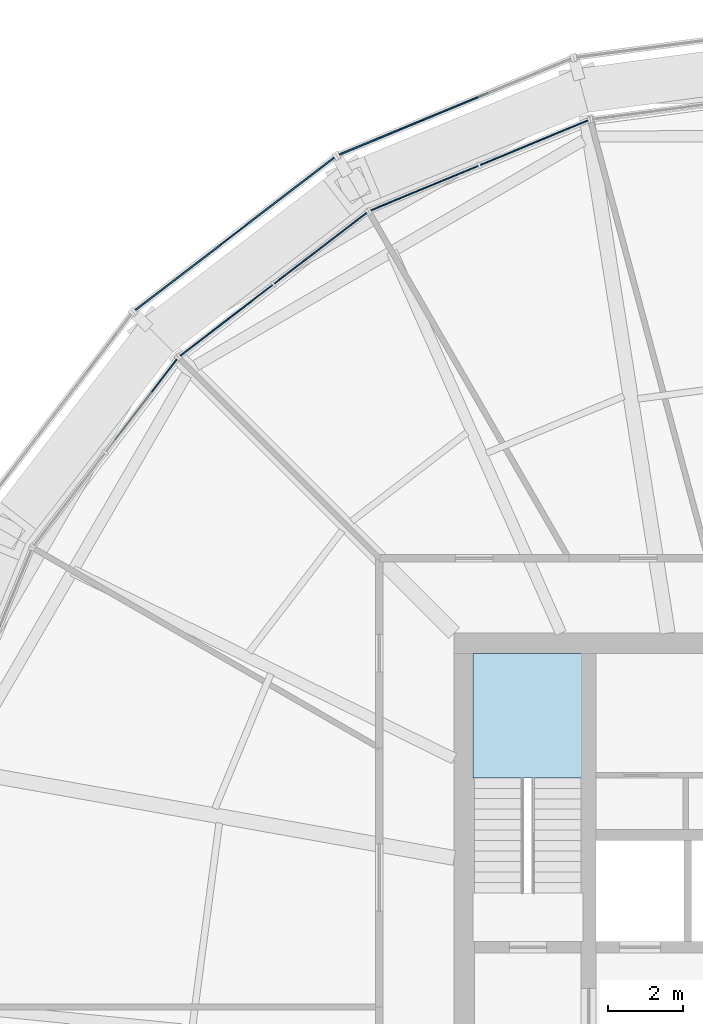
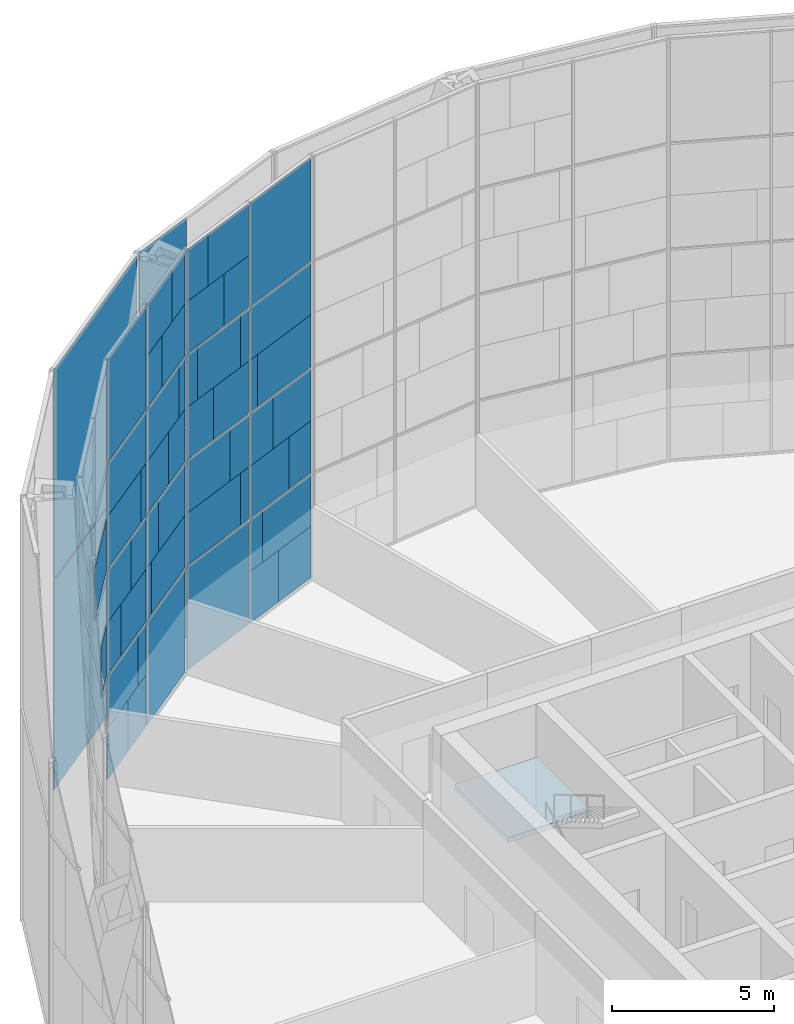
# One storey, part 22 of 30: 60 plates, 1 slab, 6 elements without a shape of their own.
"""IFC4 building model written with IfcOpenShell, lengths in metres."""

import ifcopenshell
import ifcopenshell.guid

model = None  # the IFC model being written
_history = None  # IfcOwnerHistory: only IFC2X3 demands one
_inside = {}  # id of a spatial element -> (the spatial element, [elements in it])
_under = {}  # id of a project, library or spatial element -> (it, [spatial elements below it])
_declared = {}  # id of a project -> (the project, [libraries it declares])
_typed = {}  # id of a type object -> (the type object, [elements of that type])
_made_of = {}  # id of a material, layer set ... -> (it, [elements and type objects made of it])


def new_model(schema):
    """Start an empty IFC model of exactly this schema.

    Asked for "IFC4X3", IfcOpenShell would pick the latest addendum, in which some entities
    have other attributes; the version numbers below select the first issue.
    IFC2X3 requires an IfcOwnerHistory on every rooted entity: one is made here for all.
    """
    global model, _history
    if schema == "IFC4X3":
        model = ifcopenshell.file(schema_version=(4, 3, 0, 0))
    else:
        model = ifcopenshell.file(schema=schema)
    _inside.clear()
    _under.clear()
    _declared.clear()
    _typed.clear()
    _made_of.clear()
    _history = None
    if model.schema == "IFC2X3":
        org = make("IfcOrganization", Name="unknown")
        user = make(
            "IfcPersonAndOrganization",
            ThePerson=make("IfcPerson", FamilyName="unknown"),
            TheOrganization=org,
        )
        app = make(
            "IfcApplication",
            ApplicationDeveloper=org,
            Version="unknown",
            ApplicationFullName="unknown",
            ApplicationIdentifier="unknown",
        )
        _history = make(
            "IfcOwnerHistory",
            OwningUser=user,
            OwningApplication=app,
            ChangeAction="ADDED",
            CreationDate=0,
        )
    return model


def make(cls, **values):
    """One entity of the class cls with the attributes given. An attribute that is None is left unset."""
    return model.create_entity(
        cls, **{name: value for name, value in values.items() if value is not None}
    )


def rooted(cls, **values):
    """An entity with a GlobalId (a new one), such as an element, a storey or a relation."""
    return make(cls, GlobalId=ifcopenshell.guid.new(), OwnerHistory=_history, **values)


def si_unit(unit_type, name, prefix=None):
    """IfcSIUnit, for example si_unit("LENGTHUNIT", "METRE", prefix="MILLI")."""
    return make("IfcSIUnit", UnitType=unit_type, Prefix=prefix, Name=name)


def assignment(units):
    """IfcUnitAssignment: the units of a project."""
    return None if units is None else make("IfcUnitAssignment", Units=units)


def point(xyz):
    """IfcCartesianPoint."""
    return None if xyz is None else make("IfcCartesianPoint", Coordinates=xyz)


def direction(xyz):
    """IfcDirection."""
    return None if xyz is None else make("IfcDirection", DirectionRatios=xyz)


def frame(location, z_axis=None, x_axis=None):
    """IfcAxis2Placement3D, a coordinate frame: its origin and axes. An axis left out is left unset."""
    return make(
        "IfcAxis2Placement3D",
        Location=point(location),
        Axis=direction(z_axis),
        RefDirection=direction(x_axis),
    )


def frame_2d(location, x_axis=None):
    """IfcAxis2Placement2D, a coordinate frame in the plane: its origin and x axis."""
    return make(
        "IfcAxis2Placement2D", Location=point(location), RefDirection=direction(x_axis)
    )


def origin():
    """The frame at (0, 0, 0) with its axes left unset."""
    return frame((0.0, 0.0, 0.0))


def origin_2d():
    """The frame at (0, 0) in the plane with its x axis left unset."""
    return frame_2d((0.0, 0.0))


def place(relative_to, where):
    """IfcLocalPlacement: puts the frame where relative to a parent placement (None: the world)."""
    return make(
        "IfcLocalPlacement", PlacementRelTo=relative_to, RelativePlacement=where
    )


def context(
    kind, dimensions, precision=None, world=None, true_north=None, identifier=None
):
    """IfcGeometricRepresentationContext, for example the 3D "Model" context."""
    return make(
        "IfcGeometricRepresentationContext",
        ContextIdentifier=identifier,
        ContextType=kind,
        CoordinateSpaceDimension=dimensions,
        Precision=precision,
        WorldCoordinateSystem=world,
        TrueNorth=true_north,
    )


def subcontext(parent, identifier, kind, view, scale=None):
    """IfcGeometricRepresentationSubContext, for example "Body" below "Model"."""
    return make(
        "IfcGeometricRepresentationSubContext",
        ContextIdentifier=identifier,
        ContextType=kind,
        ParentContext=parent,
        TargetScale=scale,
        TargetView=view,
    )


def project(units=None, contexts=None):
    """IfcProject with its units and contexts."""
    return rooted(
        "IfcProject",
        Name="project",
        RepresentationContexts=contexts,
        UnitsInContext=assignment(units),
    )


def spatial(cls, under=None, at=None, **own):
    """A site, building, storey or space (cls), placed at a placement, below another one or the project."""
    s = rooted(cls, ObjectPlacement=at, **own)
    if under is not None:
        _under.setdefault(under.id(), (under, []))[1].append(s)
    return s


def polyline(points):
    """IfcPolyline through the points."""
    return make("IfcPolyline", Points=[point(p) for p in points])


def profile(cls, at=None, kind="AREA", **sizes):
    """A parametric profile (cls). Its sizes go by their IFC names, for example OverallWidth=200.0."""
    return make(cls, ProfileType=kind, Position=at, **sizes)


def rectangle(**sizes):
    """IfcRectangleProfileDef."""
    return profile("IfcRectangleProfileDef", **sizes)


def outline(outer, holes=None, kind="AREA"):
    """IfcArbitraryClosedProfileDef: a profile drawn as a closed curve; with holes, ...WithVoids."""
    if holes is None:
        return make("IfcArbitraryClosedProfileDef", ProfileType=kind, OuterCurve=outer)
    return make(
        "IfcArbitraryProfileDefWithVoids",
        ProfileType=kind,
        OuterCurve=outer,
        InnerCurves=holes,
    )


def extrude(swept, where, along, depth):
    """IfcExtrudedAreaSolid: the profile swept, set in the frame where, extruded along a direction by depth."""
    return make(
        "IfcExtrudedAreaSolid",
        SweptArea=swept,
        Position=where,
        ExtrudedDirection=direction(along),
        Depth=depth,
    )


def shape(context_of_items, identifier, shape_type, items):
    """IfcShapeRepresentation: the items that make up one representation, for example the "Body"."""
    return make(
        "IfcShapeRepresentation",
        ContextOfItems=context_of_items,
        RepresentationIdentifier=identifier,
        RepresentationType=shape_type,
        Items=items,
    )


def material(Name=None, Category=None):
    """IfcMaterial."""
    return make("IfcMaterial", Name=Name, Category=Category)


def layer(
    of_material, thickness, ventilated=None, Name=None, Category=None, Priority=None
):
    """IfcMaterialLayer: one layer of a wall or slab, of a material (None: an air gap)."""
    return make(
        "IfcMaterialLayer",
        Material=of_material,
        LayerThickness=thickness,
        IsVentilated=ventilated,
        Name=Name,
        Category=Category,
        Priority=Priority,
    )


def layer_set(layers, Name=None):
    """IfcMaterialLayerSet."""
    return make("IfcMaterialLayerSet", MaterialLayers=layers, LayerSetName=Name)


def made_of(thing, what):
    """Note that an element or type object is made of a material, layer set ...; save() writes the relation."""
    if what is not None:
        _made_of.setdefault(what.id(), (what, []))[1].append(thing)
    return thing


def type_object(cls, material=None, **own):
    """A type object (cls), such as IfcWallType, which elements share."""
    return made_of(rooted(cls, **own), material)


def element(
    cls,
    number,
    at=None,
    inside=None,
    cuts=None,
    type_object=None,
    material=None,
    context=None,
    identifier="Body",
    shape_type=None,
    held_by="IfcProductDefinitionShape",
    body=None,
    shapes=None,
    **own,
):
    """One element of the class cls, such as IfcWall. Its Tag is "e" and its number.

    at: its placement. inside: the storey or other place that contains it. cuts: it is an
    opening in that element (IfcRelVoidsElement). A single representation is given by context,
    identifier, shape_type and body (its items); several are given by shapes. held_by: the class
    of the entity that holds the representations. save() writes the other relations.
    """
    e = rooted(cls, Tag="e%d" % number, ObjectPlacement=at, **own)
    if body is not None:
        shapes = [shape(context, identifier, shape_type, body)]
    if shapes is not None:
        e.Representation = make(held_by, Representations=shapes)
    if inside is not None:
        _inside.setdefault(inside.id(), (inside, []))[1].append(e)
    if cuts is not None:
        rooted(
            "IfcRelVoidsElement", RelatingBuildingElement=cuts, RelatedOpeningElement=e
        )
    if type_object is not None:
        _typed.setdefault(type_object.id(), (type_object, []))[1].append(e)
    return made_of(e, material)


def aggregate(whole, parts):
    """IfcRelAggregates: a whole, such as a stair, and the parts it consists of."""
    return rooted("IfcRelAggregates", RelatingObject=whole, RelatedObjects=parts)


def save(model, path):
    """Write the relations noted so far, then the file.

    IfcRelAggregates (storeys below a building ...), IfcRelContainedInSpatialStructure (elements
    in a storey), IfcRelDefinesByType, IfcRelAssociatesMaterial and IfcRelDeclares: one each for
    every whole, place, type object, material and project.
    """
    for whole, parts in _under.values():
        aggregate(whole, parts)
    for where, things in _inside.values():
        rooted(
            "IfcRelContainedInSpatialStructure",
            RelatedElements=things,
            RelatingStructure=where,
        )
    for kind, things in _typed.values():
        rooted("IfcRelDefinesByType", RelatedObjects=things, RelatingType=kind)
    for what, things in _made_of.values():
        rooted("IfcRelAssociatesMaterial", RelatedObjects=things, RelatingMaterial=what)
    for by, libraries in _declared.values():
        rooted("IfcRelDeclares", RelatingContext=by, RelatedDefinitions=libraries)
    model.write(path)


model = new_model("IFC4")

# Units and contexts
model_context = context("Model", 3, precision=1e-05, world=origin(), true_north=direction((0.0, 1.0)))
body_context = subcontext(model_context, "Body", "Model", "MODEL_VIEW")
ifc_project = project(units=[si_unit("LENGTHUNIT", "METRE"), si_unit("AREAUNIT", "SQUARE_METRE"), si_unit("VOLUMEUNIT", "CUBIC_METRE"), si_unit("PLANEANGLEUNIT", "RADIAN"), si_unit("MASSUNIT", "GRAM", prefix="KILO")], contexts=[model_context])

# Site, building, storey
site_placement = place(None, origin())
site = spatial("IfcSite", under=ifc_project, at=site_placement, CompositionType="ELEMENT")
building_placement = place(site_placement, origin())
building = spatial("IfcBuilding", under=site, at=building_placement, Name="Golbaran Civic Tower", CompositionType="ELEMENT")
storey_placement = place(building_placement, frame((0.0, 0.0, 102.0)))
storey = spatial("IfcBuildingStorey", under=building, at=storey_placement, Name="L24", CompositionType="ELEMENT", Elevation=102.0)

# Curtain wall, plates
ifc_material_1 = material(Name="Aluminium and glass", Category="aluminium")
curtain_wall_type_1 = type_object("IfcCurtainWallType", Name="INNER SKIN CURTAIN WALL", PredefinedType="NOTDEFINED", material=ifc_material_1)
curtain_wall_1_placement = place(storey_placement, origin())
curtain_wall_1 = element("IfcCurtainWall", 1, at=curtain_wall_1_placement, inside=storey, type_object=curtain_wall_type_1, Name="Inner skin L24 facet 8 CW1", ObjectType="INNER SKIN", PredefinedType="USERDEFINED")
ifc_material_2 = material(Name="Clear insulating glass", Category="glass")
ifc_layer_1 = layer(ifc_material_2, 0.031982421875, Name="Clear insulating glass")
ifc_layer_set_1 = layer_set([ifc_layer_1], Name="Clear insulating glass")
plate_type_1 = type_object("IfcPlateType", Name="INNER SKIN CURTAIN WALL GLAZED PANEL", PredefinedType="CURTAIN_PANEL", material=ifc_layer_set_1)
plate_1_placement = place(storey_placement, frame((-8.620361328125, 22.8046875, 0.06494140625), z_axis=(0.0, 0.0, 1.0), x_axis=(-0.923879532465, -0.382683432478, 0.0)))
plate_1 = element("IfcPlate", 2, at=plate_1_placement, type_object=plate_type_1, Name="CW1 panel 1.1 part 2", PredefinedType="CURTAIN_PANEL", context=body_context, shape_type="SweptSolid", body=[
    extrude(rectangle(XDim=1.460693359375, YDim=0.031982421875, at=origin_2d()), origin(), (0.0, 0.0, 1.0), 1.951171875),
])
plate_2_placement = place(storey_placement, frame((-8.994140625, 22.64990234375, 2.016357421875), z_axis=(0.0, 0.0, 1.0), x_axis=(-0.923879532465, -0.382683432478, 0.0)))
plate_2 = element("IfcPlate", 3, at=plate_2_placement, type_object=plate_type_1, Name="CW1 panel 1.1 part 4", PredefinedType="CURTAIN_PANEL", context=body_context, shape_type="SweptSolid", body=[
    extrude(rectangle(XDim=0.651611328125, YDim=0.031982421875, at=origin_2d()), origin(), (0.0, 0.0, 1.0), 1.951171875),
])
plate_3_placement = place(storey_placement, frame((-6.931396484375, 23.50439453125, 4.03271484375), z_axis=(0.0, 0.0, 1.0), x_axis=(-0.923879532465, -0.382683432478, 0.0)))
plate_3 = element("IfcPlate", 4, at=plate_3_placement, type_object=plate_type_1, Name="CW1 panel 1.2 part 1", PredefinedType="CURTAIN_PANEL", context=body_context, shape_type="SweptSolid", body=[
    extrude(rectangle(XDim=1.10400390625, YDim=0.031982421875, at=origin_2d()), origin(), (0.0, 0.0, 1.0), 1.967529296875),
])
plate_4_placement = place(storey_placement, frame((-7.307861328125, 23.348388671875, 6.0), z_axis=(0.0, 0.0, 1.0), x_axis=(-0.923879532465, -0.382683432478, 0.0)))
plate_4 = element("IfcPlate", 5, at=plate_4_placement, type_object=plate_type_1, Name="CW1 panel 1.2 part 3", PredefinedType="CURTAIN_PANEL", context=body_context, shape_type="SweptSolid", body=[
    extrude(rectangle(XDim=1.9189453125, YDim=0.031982421875, at=origin_2d()), origin(), (0.0, 0.0, 1.0), 1.967529296875),
])
plate_5_placement = place(storey_placement, frame((-7.672607421875, 23.197265625, 8.03271484375), z_axis=(0.0, 0.0, 1.0), x_axis=(-0.923879532465, -0.382683432478, 0.0)))
plate_5 = element("IfcPlate", 6, at=plate_5_placement, type_object=plate_type_1, Name="CW1 panel 1.3 part 1", PredefinedType="CURTAIN_PANEL", context=body_context, shape_type="SweptSolid", body=[
    extrude(rectangle(XDim=2.708984375, YDim=0.031982421875, at=origin_2d()), origin(), (0.0, 0.0, 1.0), 1.967529296875),
])
plate_6_placement = place(storey_placement, frame((-7.858154296875, 23.120361328125, 10.0), z_axis=(0.0, 0.0, 1.0), x_axis=(-0.923879532465, -0.382683432478, 0.0)))
plate_6 = element("IfcPlate", 7, at=plate_6_placement, type_object=plate_type_1, Name="CW1 panel 1.3 part 3", PredefinedType="CURTAIN_PANEL", context=body_context, shape_type="SweptSolid", body=[
    extrude(rectangle(XDim=3.110595703125, YDim=0.031982421875, at=origin_2d()), origin(), (0.0, 0.0, 1.0), 1.967529296875),
])
plate_7_placement = place(storey_placement, frame((-7.858154296875, 23.120361328125, 12.0322265625), z_axis=(0.0, 0.0, 1.0), x_axis=(-0.923879532465, -0.382683432478, 0.0)))
plate_7 = element("IfcPlate", 8, at=plate_7_placement, type_object=plate_type_1, Name="CW1 panel 1.4", PredefinedType="CURTAIN_PANEL", context=body_context, shape_type="SweptSolid", body=[
    extrude(rectangle(XDim=3.110595703125, YDim=0.031982421875, at=origin_2d()), origin(), (0.0, 0.0, 1.0), 3.902587890625),
])
plate_8_placement = place(storey_placement, frame((-10.7919921875, 21.9052734375, 0.06494140625), z_axis=(0.0, 0.0, 1.0), x_axis=(-0.923879532465, -0.382683432478, 0.0)))
plate_8 = element("IfcPlate", 9, at=plate_8_placement, type_object=plate_type_1, Name="CW1 panel 2.1", PredefinedType="CURTAIN_PANEL", context=body_context, shape_type="SweptSolid", body=[
    extrude(rectangle(XDim=3.110595703125, YDim=0.031982421875, at=origin_2d()), origin(), (0.0, 0.0, 1.0), 3.902587890625),
])
plate_9_placement = place(storey_placement, frame((-10.977294921875, 21.82861328125, 4.03271484375), z_axis=(0.0, 0.0, 1.0), x_axis=(-0.923879532465, -0.382683432478, 0.0)))
plate_9 = element("IfcPlate", 10, at=plate_9_placement, type_object=plate_type_1, Name="CW1 panel 2.2 part 2", PredefinedType="CURTAIN_PANEL", context=body_context, shape_type="SweptSolid", body=[
    extrude(rectangle(XDim=2.70947265625, YDim=0.031982421875, at=origin_2d()), origin(), (0.0, 0.0, 1.0), 1.967529296875),
])
plate_10_placement = place(storey_placement, frame((-11.226318359375, 21.725341796875, 6.0), z_axis=(0.0, 0.0, 1.0), x_axis=(-0.923879532465, -0.382683432478, 0.0)))
plate_10 = element("IfcPlate", 11, at=plate_10_placement, type_object=plate_type_1, Name="CW1 panel 2.2 part 4", PredefinedType="CURTAIN_PANEL", context=body_context, shape_type="SweptSolid", body=[
    extrude(rectangle(XDim=2.170654296875, YDim=0.031982421875, at=origin_2d()), origin(), (0.0, 0.0, 1.0), 1.967529296875),
])
plate_11_placement = place(storey_placement, frame((-11.615234375, 21.564208984375, 8.03271484375), z_axis=(0.0, 0.0, 1.0), x_axis=(-0.923879532465, -0.382683432478, 0.0)))
plate_11 = element("IfcPlate", 12, at=plate_11_placement, type_object=plate_type_1, Name="CW1 panel 2.3 part 2", PredefinedType="CURTAIN_PANEL", context=body_context, shape_type="SweptSolid", body=[
    extrude(rectangle(XDim=1.32861328125, YDim=0.031982421875, at=origin_2d()), origin(), (0.0, 0.0, 1.0), 1.967529296875),
])
plate_12_placement = place(storey_placement, frame((-9.5400390625, 22.423828125, 10.0), z_axis=(0.0, 0.0, 1.0), x_axis=(-0.923879532465, -0.382683432478, 0.0)))
plate_12 = element("IfcPlate", 13, at=plate_12_placement, type_object=plate_type_1, Name="CW1 panel 2.3 part 3", PredefinedType="CURTAIN_PANEL", context=body_context, shape_type="SweptSolid", body=[
    extrude(rectangle(XDim=0.39990234375, YDim=0.031982421875, at=origin_2d()), origin(), (0.0, 0.0, 1.0), 1.967529296875),
])
plate_13_placement = place(storey_placement, frame((-11.99169921875, 21.408203125, 10.0), z_axis=(0.0, 0.0, 1.0), x_axis=(-0.923879532465, -0.382683432478, 0.0)))
plate_13 = element("IfcPlate", 14, at=plate_13_placement, type_object=plate_type_1, Name="CW1 panel 2.3 part 5", PredefinedType="CURTAIN_PANEL", context=body_context, shape_type="SweptSolid", body=[
    extrude(rectangle(XDim=0.513671875, YDim=0.031982421875, at=origin_2d()), origin(), (0.0, 0.0, 1.0), 1.967529296875),
])
plate_14_placement = place(storey_placement, frame((-9.928955078125, 22.2626953125, 12.032470703125), z_axis=(0.0, 0.0, 1.0), x_axis=(-0.923879532465, -0.382683432478, 0.0)))
plate_14 = element("IfcPlate", 15, at=plate_14_placement, type_object=plate_type_1, Name="CW1 panel 2.4 part 1", PredefinedType="CURTAIN_PANEL", context=body_context, shape_type="SweptSolid", body=[
    extrude(rectangle(XDim=1.241943359375, YDim=0.031982421875, at=origin_2d()), origin(), (0.0, 0.0, 1.0), 1.951171875),
])
plate_15_placement = place(storey_placement, frame((-10.30224609375, 22.108154296875, 13.98388671875), z_axis=(0.0, 0.0, 1.0), x_axis=(-0.923879532465, -0.382683432478, 0.0)))
plate_15 = element("IfcPlate", 16, at=plate_15_placement, type_object=plate_type_1, Name="CW1 panel 2.4 part 3", PredefinedType="CURTAIN_PANEL", context=body_context, shape_type="SweptSolid", body=[
    extrude(rectangle(XDim=2.050048828125, YDim=0.031982421875, at=origin_2d()), origin(), (0.0, 0.0, 1.0), 1.951171875),
])

curtain_wall_2_placement = place(storey_placement, origin())
curtain_wall_2 = element("IfcCurtainWall", 17, at=curtain_wall_2_placement, inside=storey, type_object=curtain_wall_type_1, Name="Inner skin L24 facet 9 CW1", ObjectType="INNER SKIN", PredefinedType="USERDEFINED")
plate_16_placement = place(storey_placement, frame((-13.574462890625, 20.298828125, 0.06494140625), z_axis=(0.0, 0.0, 1.0), x_axis=(-0.793353340302, -0.608761428995, 0.0)))
plate_16 = element("IfcPlate", 18, at=plate_16_placement, type_object=plate_type_1, Name="CW1 panel 1.1", PredefinedType="CURTAIN_PANEL", context=body_context, shape_type="SweptSolid", body=[
    extrude(rectangle(XDim=3.110595703125, YDim=0.031982421875, at=origin_2d()), origin(), (0.0, 0.0, 1.0), 3.902587890625),
])
plate_17_placement = place(storey_placement, frame((-13.415283203125, 20.421142578125, 4.03271484375), z_axis=(0.0, 0.0, 1.0), x_axis=(-0.793353340302, -0.608761428995, 0.0)))
plate_17 = element("IfcPlate", 19, at=plate_17_placement, type_object=plate_type_1, Name="CW1 panel 1.2 part 1", PredefinedType="CURTAIN_PANEL", context=body_context, shape_type="SweptSolid", body=[
    extrude(rectangle(XDim=2.708984375, YDim=0.031982421875, at=origin_2d()), origin(), (0.0, 0.0, 1.0), 1.967529296875),
])
plate_18_placement = place(storey_placement, frame((-13.20166015625, 20.584716796875, 6.0), z_axis=(0.0, 0.0, 1.0), x_axis=(-0.793353340302, -0.608761428995, 0.0)))
plate_18 = element("IfcPlate", 20, at=plate_18_placement, type_object=plate_type_1, Name="CW1 panel 1.2 part 3", PredefinedType="CURTAIN_PANEL", context=body_context, shape_type="SweptSolid", body=[
    extrude(rectangle(XDim=2.1708984375, YDim=0.031982421875, at=origin_2d()), origin(), (0.0, 0.0, 1.0), 1.967529296875),
])
plate_19_placement = place(storey_placement, frame((-12.86767578125, 20.841064453125, 8.03271484375), z_axis=(0.0, 0.0, 1.0), x_axis=(-0.793353340302, -0.608761428995, 0.0)))
plate_19 = element("IfcPlate", 21, at=plate_19_placement, type_object=plate_type_1, Name="CW1 panel 1.3 part 1", PredefinedType="CURTAIN_PANEL", context=body_context, shape_type="SweptSolid", body=[
    extrude(rectangle(XDim=1.3291015625, YDim=0.031982421875, at=origin_2d()), origin(), (0.0, 0.0, 1.0), 1.967529296875),
])
plate_20_placement = place(storey_placement, frame((-12.54443359375, 21.089111328125, 10.0), z_axis=(0.0, 0.0, 1.0), x_axis=(-0.793353340302, -0.608761428995, 0.0)))
plate_20 = element("IfcPlate", 22, at=plate_20_placement, type_object=plate_type_1, Name="CW1 panel 1.3 part 3", PredefinedType="CURTAIN_PANEL", context=body_context, shape_type="SweptSolid", body=[
    extrude(rectangle(XDim=0.513916015625, YDim=0.031982421875, at=origin_2d()), origin(), (0.0, 0.0, 1.0), 1.967529296875),
])
plate_21_placement = place(storey_placement, frame((-14.31591796875, 19.72998046875, 12.032470703125), z_axis=(0.0, 0.0, 1.0), x_axis=(-0.793353340302, -0.608761428995, 0.0)))
plate_21 = element("IfcPlate", 23, at=plate_21_placement, type_object=plate_type_1, Name="CW1 panel 1.4 part 2", PredefinedType="CURTAIN_PANEL", context=body_context, shape_type="SweptSolid", body=[
    extrude(rectangle(XDim=1.241455078125, YDim=0.031982421875, at=origin_2d()), origin(), (0.0, 0.0, 1.0), 1.951171875),
])
plate_22_placement = place(storey_placement, frame((-13.995361328125, 19.975830078125, 13.98388671875), z_axis=(0.0, 0.0, 1.0), x_axis=(-0.793353340302, -0.608761428995, 0.0)))
plate_22 = element("IfcPlate", 24, at=plate_22_placement, type_object=plate_type_1, Name="CW1 panel 1.4 part 4", PredefinedType="CURTAIN_PANEL", context=body_context, shape_type="SweptSolid", body=[
    extrude(rectangle(XDim=2.049560546875, YDim=0.031982421875, at=origin_2d()), origin(), (0.0, 0.0, 1.0), 1.951171875),
])
plate_23_placement = place(storey_placement, frame((-15.43896484375, 18.867919921875, 0.06494140625), z_axis=(0.0, 0.0, 1.0), x_axis=(-0.793353340302, -0.608761428995, 0.0)))
plate_23 = element("IfcPlate", 25, at=plate_23_placement, type_object=plate_type_1, Name="CW1 panel 2.1 part 1", PredefinedType="CURTAIN_PANEL", context=body_context, shape_type="SweptSolid", body=[
    extrude(rectangle(XDim=1.4599609375, YDim=0.031982421875, at=origin_2d()), origin(), (0.0, 0.0, 1.0), 1.951171875),
])
plate_24_placement = place(storey_placement, frame((-15.11865234375, 19.114013671875, 2.016357421875), z_axis=(0.0, 0.0, 1.0), x_axis=(-0.793353340302, -0.608761428995, 0.0)))
plate_24 = element("IfcPlate", 26, at=plate_24_placement, type_object=plate_type_1, Name="CW1 panel 2.1 part 3", PredefinedType="CURTAIN_PANEL", context=body_context, shape_type="SweptSolid", body=[
    extrude(rectangle(XDim=0.652099609375, YDim=0.031982421875, at=origin_2d()), origin(), (0.0, 0.0, 1.0), 1.951171875),
])
plate_25_placement = place(storey_placement, frame((-16.889892578125, 17.754638671875, 4.03271484375), z_axis=(0.0, 0.0, 1.0), x_axis=(-0.793353340302, -0.608761428995, 0.0)))
plate_25 = element("IfcPlate", 27, at=plate_25_placement, type_object=plate_type_1, Name="CW1 panel 2.2 part 2", PredefinedType="CURTAIN_PANEL", context=body_context, shape_type="SweptSolid", body=[
    extrude(rectangle(XDim=1.103515625, YDim=0.031982421875, at=origin_2d()), origin(), (0.0, 0.0, 1.0), 1.967529296875),
])
plate_26_placement = place(storey_placement, frame((-16.566650390625, 18.0029296875, 6.0), z_axis=(0.0, 0.0, 1.0), x_axis=(-0.793353340302, -0.608761428995, 0.0)))
plate_26 = element("IfcPlate", 28, at=plate_26_placement, type_object=plate_type_1, Name="CW1 panel 2.2 part 4", PredefinedType="CURTAIN_PANEL", context=body_context, shape_type="SweptSolid", body=[
    extrude(rectangle(XDim=1.91845703125, YDim=0.031982421875, at=origin_2d()), origin(), (0.0, 0.0, 1.0), 1.967529296875),
])
plate_27_placement = place(storey_placement, frame((-16.25244140625, 18.243896484375, 8.03271484375), z_axis=(0.0, 0.0, 1.0), x_axis=(-0.793353340302, -0.608761428995, 0.0)))
plate_27 = element("IfcPlate", 29, at=plate_27_placement, type_object=plate_type_1, Name="CW1 panel 2.3 part 2", PredefinedType="CURTAIN_PANEL", context=body_context, shape_type="SweptSolid", body=[
    extrude(rectangle(XDim=2.710693359375, YDim=0.031982421875, at=origin_2d()), origin(), (0.0, 0.0, 1.0), 1.967529296875),
])
plate_28_placement = place(storey_placement, frame((-16.09375, 18.36572265625, 10.0), z_axis=(0.0, 0.0, 1.0), x_axis=(-0.793353340302, -0.608761428995, 0.0)))
plate_28 = element("IfcPlate", 30, at=plate_28_placement, type_object=plate_type_1, Name="CW1 panel 2.3 part 3", PredefinedType="CURTAIN_PANEL", context=body_context, shape_type="SweptSolid", body=[
    extrude(rectangle(XDim=3.110595703125, YDim=0.031982421875, at=origin_2d()), origin(), (0.0, 0.0, 1.0), 1.967529296875),
])
plate_29_placement = place(storey_placement, frame((-16.09375, 18.36572265625, 12.0322265625), z_axis=(0.0, 0.0, 1.0), x_axis=(-0.793353340302, -0.608761428995, 0.0)))
plate_29 = element("IfcPlate", 31, at=plate_29_placement, type_object=plate_type_1, Name="CW1 panel 2.4", PredefinedType="CURTAIN_PANEL", context=body_context, shape_type="SweptSolid", body=[
    extrude(rectangle(XDim=3.110595703125, YDim=0.031982421875, at=origin_2d()), origin(), (0.0, 0.0, 1.0), 3.902587890625),
])

curtain_wall_3_placement = place(storey_placement, origin())
curtain_wall_3 = element("IfcCurtainWall", 32, at=curtain_wall_3_placement, inside=storey, type_object=curtain_wall_type_1, Name="Inner skin L24 facet 10 CW1", ObjectType="INNER SKIN", PredefinedType="USERDEFINED")
plate_30_placement = place(storey_placement, frame((-17.7548828125, 16.889892578125, 4.03271484375), z_axis=(0.0, 0.0, 1.0), x_axis=(-0.608761428995, -0.793353340302, 0.0)))
plate_30 = element("IfcPlate", 33, at=plate_30_placement, type_object=plate_type_1, Name="CW1 panel 1.2 part 1", PredefinedType="CURTAIN_PANEL", context=body_context, shape_type="SweptSolid", body=[
    extrude(rectangle(XDim=1.10400390625, YDim=0.031982421875, at=origin_2d()), origin(), (0.0, 0.0, 1.0), 1.967529296875),
])
plate_31_placement = place(storey_placement, frame((-18.243408203125, 16.253173828125, 8.03271484375), z_axis=(0.0, 0.0, 1.0), x_axis=(-0.608761428995, -0.793353340302, 0.0)))
plate_31 = element("IfcPlate", 34, at=plate_31_placement, type_object=plate_type_1, Name="CW1 panel 1.3 part 1", PredefinedType="CURTAIN_PANEL", context=body_context, shape_type="SweptSolid", body=[
    extrude(rectangle(XDim=2.708984375, YDim=0.031982421875, at=origin_2d()), origin(), (0.0, 0.0, 1.0), 1.967529296875),
])
aggregate(curtain_wall_3, [plate_30, plate_31])

# Plate
ifc_material_3 = material(Name="Aluminium faced opaque infill panel", Category="aluminium")
ifc_layer_2 = layer(ifc_material_3, 0.031982421875, Name="Aluminium faced opaque infill panel")
ifc_layer_set_2 = layer_set([ifc_layer_2], Name="Aluminium faced opaque infill panel")
plate_type_2 = type_object("IfcPlateType", Name="INNER SKIN CURTAIN WALL OPAQUE INFILL PANEL", PredefinedType="CURTAIN_PANEL", material=ifc_layer_set_2)
plate_32_placement = place(storey_placement, frame((-7.18359375, 23.39990234375, 0.06494140625), z_axis=(0.0, 0.0, 1.0), x_axis=(-0.923879532465, -0.382683432478, 0.0)))
plate_32 = element("IfcPlate", 35, at=plate_32_placement, type_object=plate_type_2, Name="CW1 infill panel 1.1 part 1", PredefinedType="CURTAIN_PANEL", context=body_context, shape_type="SweptSolid", body=[
    extrude(rectangle(XDim=1.64990234375, YDim=0.031982421875, at=origin_2d()), origin(), (0.0, 0.0, 1.0), 1.951171875),
])

plate_33_placement = place(storey_placement, frame((-7.55712890625, 23.2451171875, 2.016357421875), z_axis=(0.0, 0.0, 1.0), x_axis=(-0.923879532465, -0.382683432478, 0.0)))
plate_33 = element("IfcPlate", 36, at=plate_33_placement, type_object=plate_type_2, Name="CW1 infill panel 1.1 part 3", PredefinedType="CURTAIN_PANEL", context=body_context, shape_type="SweptSolid", body=[
    extrude(rectangle(XDim=2.458984375, YDim=0.031982421875, at=origin_2d()), origin(), (0.0, 0.0, 1.0), 1.951171875),
])

plate_34_placement = place(storey_placement, frame((-8.3681640625, 22.9091796875, 4.03271484375), z_axis=(0.0, 0.0, 1.0), x_axis=(-0.923879532465, -0.382683432478, 0.0)))
plate_34 = element("IfcPlate", 37, at=plate_34_placement, type_object=plate_type_2, Name="CW1 infill panel 1.2 part 2", PredefinedType="CURTAIN_PANEL", context=body_context, shape_type="SweptSolid", body=[
    extrude(rectangle(XDim=2.006591796875, YDim=0.031982421875, at=origin_2d()), origin(), (0.0, 0.0, 1.0), 1.967529296875),
])

plate_35_placement = place(storey_placement, frame((-8.74462890625, 22.753173828125, 6.0), z_axis=(0.0, 0.0, 1.0), x_axis=(-0.923879532465, -0.382683432478, 0.0)))
plate_35 = element("IfcPlate", 38, at=plate_35_placement, type_object=plate_type_2, Name="CW1 infill panel 1.2 part 4", PredefinedType="CURTAIN_PANEL", context=body_context, shape_type="SweptSolid", body=[
    extrude(rectangle(XDim=1.191650390625, YDim=0.031982421875, at=origin_2d()), origin(), (0.0, 0.0, 1.0), 1.967529296875),
])

plate_36_placement = place(storey_placement, frame((-9.109619140625, 22.60205078125, 8.03271484375), z_axis=(0.0, 0.0, 1.0), x_axis=(-0.923879532465, -0.382683432478, 0.0)))
plate_36 = element("IfcPlate", 39, at=plate_36_placement, type_object=plate_type_2, Name="CW1 infill panel 1.3 part 2", PredefinedType="CURTAIN_PANEL", context=body_context, shape_type="SweptSolid", body=[
    extrude(rectangle(XDim=0.401611328125, YDim=0.031982421875, at=origin_2d()), origin(), (0.0, 0.0, 1.0), 1.967529296875),
])

plate_37_placement = place(storey_placement, frame((-9.540283203125, 22.423583984375, 4.03271484375), z_axis=(0.0, 0.0, 1.0), x_axis=(-0.923879532465, -0.382683432478, 0.0)))
plate_37 = element("IfcPlate", 40, at=plate_37_placement, type_object=plate_type_2, Name="CW1 infill panel 2.2 part 1", PredefinedType="CURTAIN_PANEL", context=body_context, shape_type="SweptSolid", body=[
    extrude(rectangle(XDim=0.40087890625, YDim=0.031982421875, at=origin_2d()), origin(), (0.0, 0.0, 1.0), 1.967529296875),
])

plate_38_placement = place(storey_placement, frame((-9.789306640625, 22.320556640625, 6.0), z_axis=(0.0, 0.0, 1.0), x_axis=(-0.923879532465, -0.382683432478, 0.0)))
plate_38 = element("IfcPlate", 41, at=plate_38_placement, type_object=plate_type_2, Name="CW1 infill panel 2.2 part 3", PredefinedType="CURTAIN_PANEL", context=body_context, shape_type="SweptSolid", body=[
    extrude(rectangle(XDim=0.93994140625, YDim=0.031982421875, at=origin_2d()), origin(), (0.0, 0.0, 1.0), 1.967529296875),
])

plate_39_placement = place(storey_placement, frame((-10.17822265625, 22.159423828125, 8.03271484375), z_axis=(0.0, 0.0, 1.0), x_axis=(-0.923879532465, -0.382683432478, 0.0)))
plate_39 = element("IfcPlate", 42, at=plate_39_placement, type_object=plate_type_2, Name="CW1 infill panel 2.3 part 1", PredefinedType="CURTAIN_PANEL", context=body_context, shape_type="SweptSolid", body=[
    extrude(rectangle(XDim=1.781982421875, YDim=0.031982421875, at=origin_2d()), origin(), (0.0, 0.0, 1.0), 1.967529296875),
])

plate_40_placement = place(storey_placement, frame((-10.739501953125, 21.927001953125, 10.0), z_axis=(0.0, 0.0, 1.0), x_axis=(-0.923879532465, -0.382683432478, 0.0)))
plate_40 = element("IfcPlate", 43, at=plate_40_placement, type_object=plate_type_2, Name="CW1 infill panel 2.3 part 4", PredefinedType="CURTAIN_PANEL", context=body_context, shape_type="SweptSolid", body=[
    extrude(rectangle(XDim=2.197021484375, YDim=0.031982421875, at=origin_2d()), origin(), (0.0, 0.0, 1.0), 1.967529296875),
])

plate_41_placement = place(storey_placement, frame((-11.36572265625, 21.66748046875, 12.032470703125), z_axis=(0.0, 0.0, 1.0), x_axis=(-0.923879532465, -0.382683432478, 0.0)))
plate_41 = element("IfcPlate", 44, at=plate_41_placement, type_object=plate_type_2, Name="CW1 infill panel 2.4 part 2", PredefinedType="CURTAIN_PANEL", context=body_context, shape_type="SweptSolid", body=[
    extrude(rectangle(XDim=1.86865234375, YDim=0.031982421875, at=origin_2d()), origin(), (0.0, 0.0, 1.0), 1.951171875),
])

plate_42_placement = place(storey_placement, frame((-11.739013671875, 21.512939453125, 13.98388671875), z_axis=(0.0, 0.0, 1.0), x_axis=(-0.923879532465, -0.382683432478, 0.0)))
plate_42 = element("IfcPlate", 45, at=plate_42_placement, type_object=plate_type_2, Name="CW1 infill panel 2.4 part 4", PredefinedType="CURTAIN_PANEL", context=body_context, shape_type="SweptSolid", body=[
    extrude(rectangle(XDim=1.060546875, YDim=0.031982421875, at=origin_2d()), origin(), (0.0, 0.0, 1.0), 1.951171875),
])

aggregate(curtain_wall_1, [plate_32, plate_1, plate_33, plate_2, plate_3, plate_34, plate_4, plate_35, plate_5, plate_36, plate_6, plate_7, plate_8, plate_37, plate_9, plate_38, plate_10, plate_39, plate_11, plate_12, plate_40, plate_13, plate_14, plate_41, plate_15, plate_42])

plate_43_placement = place(storey_placement, frame((-14.649169921875, 19.47412109375, 4.03271484375), z_axis=(0.0, 0.0, 1.0), x_axis=(-0.793353340302, -0.608761428995, 0.0)))
plate_43 = element("IfcPlate", 46, at=plate_43_placement, type_object=plate_type_2, Name="CW1 infill panel 1.2 part 2", PredefinedType="CURTAIN_PANEL", context=body_context, shape_type="SweptSolid", body=[
    extrude(rectangle(XDim=0.401611328125, YDim=0.031982421875, at=origin_2d()), origin(), (0.0, 0.0, 1.0), 1.967529296875),
])

plate_44_placement = place(storey_placement, frame((-14.435546875, 19.637939453125, 6.0), z_axis=(0.0, 0.0, 1.0), x_axis=(-0.793353340302, -0.608761428995, 0.0)))
plate_44 = element("IfcPlate", 47, at=plate_44_placement, type_object=plate_type_2, Name="CW1 infill panel 1.2 part 4", PredefinedType="CURTAIN_PANEL", context=body_context, shape_type="SweptSolid", body=[
    extrude(rectangle(XDim=0.939453125, YDim=0.031982421875, at=origin_2d()), origin(), (0.0, 0.0, 1.0), 1.967529296875),
])

plate_45_placement = place(storey_placement, frame((-14.1015625, 19.894287109375, 8.03271484375), z_axis=(0.0, 0.0, 1.0), x_axis=(-0.793353340302, -0.608761428995, 0.0)))
plate_45 = element("IfcPlate", 48, at=plate_45_placement, type_object=plate_type_2, Name="CW1 infill panel 1.3 part 2", PredefinedType="CURTAIN_PANEL", context=body_context, shape_type="SweptSolid", body=[
    extrude(rectangle(XDim=1.781494140625, YDim=0.031982421875, at=origin_2d()), origin(), (0.0, 0.0, 1.0), 1.967529296875),
])

plate_46_placement = place(storey_placement, frame((-13.7783203125, 20.142333984375, 10.0), z_axis=(0.0, 0.0, 1.0), x_axis=(-0.793353340302, -0.608761428995, 0.0)))
plate_46 = element("IfcPlate", 49, at=plate_46_placement, type_object=plate_type_2, Name="CW1 infill panel 1.3 part 4", PredefinedType="CURTAIN_PANEL", context=body_context, shape_type="SweptSolid", body=[
    extrude(rectangle(XDim=2.5966796875, YDim=0.031982421875, at=origin_2d()), origin(), (0.0, 0.0, 1.0), 1.967529296875),
])

plate_47_placement = place(storey_placement, frame((-13.08203125, 20.6767578125, 12.032470703125), z_axis=(0.0, 0.0, 1.0), x_axis=(-0.793353340302, -0.608761428995, 0.0)))
plate_47 = element("IfcPlate", 50, at=plate_47_placement, type_object=plate_type_2, Name="CW1 infill panel 1.4 part 1", PredefinedType="CURTAIN_PANEL", context=body_context, shape_type="SweptSolid", body=[
    extrude(rectangle(XDim=1.868896484375, YDim=0.031982421875, at=origin_2d()), origin(), (0.0, 0.0, 1.0), 1.951171875),
])

plate_48_placement = place(storey_placement, frame((-12.761474609375, 20.922607421875, 13.98388671875), z_axis=(0.0, 0.0, 1.0), x_axis=(-0.793353340302, -0.608761428995, 0.0)))
plate_48 = element("IfcPlate", 51, at=plate_48_placement, type_object=plate_type_2, Name="CW1 infill panel 1.4 part 3", PredefinedType="CURTAIN_PANEL", context=body_context, shape_type="SweptSolid", body=[
    extrude(rectangle(XDim=1.06103515625, YDim=0.031982421875, at=origin_2d()), origin(), (0.0, 0.0, 1.0), 1.951171875),
])

plate_49_placement = place(storey_placement, frame((-16.6728515625, 17.921142578125, 0.06494140625), z_axis=(0.0, 0.0, 1.0), x_axis=(-0.793353340302, -0.608761428995, 0.0)))
plate_49 = element("IfcPlate", 52, at=plate_49_placement, type_object=plate_type_2, Name="CW1 infill panel 2.1 part 2", PredefinedType="CURTAIN_PANEL", context=body_context, shape_type="SweptSolid", body=[
    extrude(rectangle(XDim=1.650634765625, YDim=0.031982421875, at=origin_2d()), origin(), (0.0, 0.0, 1.0), 1.951171875),
])

plate_50_placement = place(storey_placement, frame((-16.3525390625, 18.167236328125, 2.016357421875), z_axis=(0.0, 0.0, 1.0), x_axis=(-0.793353340302, -0.608761428995, 0.0)))
plate_50 = element("IfcPlate", 53, at=plate_50_placement, type_object=plate_type_2, Name="CW1 infill panel 2.1 part 4", PredefinedType="CURTAIN_PANEL", context=body_context, shape_type="SweptSolid", body=[
    extrude(rectangle(XDim=2.45849609375, YDim=0.031982421875, at=origin_2d()), origin(), (0.0, 0.0, 1.0), 1.951171875),
])

plate_51_placement = place(storey_placement, frame((-15.656005859375, 18.70166015625, 4.03271484375), z_axis=(0.0, 0.0, 1.0), x_axis=(-0.793353340302, -0.608761428995, 0.0)))
plate_51 = element("IfcPlate", 54, at=plate_51_placement, type_object=plate_type_2, Name="CW1 infill panel 2.2 part 1", PredefinedType="CURTAIN_PANEL", context=body_context, shape_type="SweptSolid", body=[
    extrude(rectangle(XDim=2.007080078125, YDim=0.031982421875, at=origin_2d()), origin(), (0.0, 0.0, 1.0), 1.967529296875),
])

plate_52_placement = place(storey_placement, frame((-15.332763671875, 18.94970703125, 6.0), z_axis=(0.0, 0.0, 1.0), x_axis=(-0.793353340302, -0.608761428995, 0.0)))
plate_52 = element("IfcPlate", 55, at=plate_52_placement, type_object=plate_type_2, Name="CW1 infill panel 2.2 part 3", PredefinedType="CURTAIN_PANEL", context=body_context, shape_type="SweptSolid", body=[
    extrude(rectangle(XDim=1.19189453125, YDim=0.031982421875, at=origin_2d()), origin(), (0.0, 0.0, 1.0), 1.967529296875),
])

plate_53_placement = place(storey_placement, frame((-15.0185546875, 19.190673828125, 8.03271484375), z_axis=(0.0, 0.0, 1.0), x_axis=(-0.793353340302, -0.608761428995, 0.0)))
plate_53 = element("IfcPlate", 56, at=plate_53_placement, type_object=plate_type_2, Name="CW1 infill panel 2.3 part 1", PredefinedType="CURTAIN_PANEL", context=body_context, shape_type="SweptSolid", body=[
    extrude(rectangle(XDim=0.39990234375, YDim=0.031982421875, at=origin_2d()), origin(), (0.0, 0.0, 1.0), 1.967529296875),
])

aggregate(curtain_wall_2, [plate_16, plate_17, plate_43, plate_18, plate_44, plate_19, plate_45, plate_20, plate_46, plate_47, plate_21, plate_48, plate_22, plate_23, plate_49, plate_24, plate_50, plate_51, plate_25, plate_52, plate_26, plate_53, plate_27, plate_28, plate_29])

# Curtain wall, plates
curtain_wall_type_2 = type_object("IfcCurtainWallType", Name="OUTER SKIN TERRACOTTA SCREEN", PredefinedType="NOTDEFINED", material=ifc_material_1)
curtain_wall_4_placement = place(storey_placement, origin())
curtain_wall_4 = element("IfcCurtainWall", 57, at=curtain_wall_4_placement, inside=storey, type_object=curtain_wall_type_2, Name="Outer skin L24 facet 8 CW3", ObjectType="OUTER SKIN", PredefinedType="USERDEFINED")
ifc_material_4 = material(Name="Clear laminated glass", Category="glass")
ifc_layer_3 = layer(ifc_material_4, 0.0400390625, Name="Clear laminated glass")
ifc_layer_set_3 = layer_set([ifc_layer_3], Name="Clear laminated glass")
plate_type_3 = type_object("IfcPlateType", Name="OUTER SKIN CLEAR GLASS PANEL", PredefinedType="CURTAIN_PANEL", material=ifc_layer_set_3)
plate_54_placement = place(storey_placement, frame((-11.082275390625, 23.62548828125, -0.6298828125), z_axis=(0.0, 0.0, 1.0), x_axis=(-0.923879532505, -0.382683432381, 0.0)))
plate_54 = element("IfcPlate", 58, at=plate_54_placement, type_object=plate_type_3, Name="CW3 panel 1.1 part 2", PredefinedType="CURTAIN_PANEL", context=body_context, shape_type="SweptSolid", body=[
    extrude(rectangle(XDim=4.308837890625, YDim=0.0400390625, at=origin_2d()), origin(), (0.0, 0.0, 1.0), 3.93994140625),
])
plate_55_placement = place(storey_placement, frame((-11.8359375, 23.313232421875, 3.31005859375), z_axis=(0.0, 0.0, 1.0), x_axis=(-0.923879532505, -0.382683432381, 0.0)))
plate_55 = element("IfcPlate", 59, at=plate_55_placement, type_object=plate_type_3, Name="CW3 panel 1.1 part 5", PredefinedType="CURTAIN_PANEL", context=body_context, shape_type="SweptSolid", body=[
    extrude(rectangle(XDim=2.6767578125, YDim=0.0400390625, at=origin_2d()), origin(), (0.0, 0.0, 1.0), 3.93994140625),
])
plate_56_placement = place(storey_placement, frame((-12.605224609375, 22.99462890625, 7.330078125), z_axis=(0.0, 0.0, 1.0), x_axis=(-0.923879532505, -0.382683432381, 0.0)))
plate_56 = element("IfcPlate", 60, at=plate_56_placement, type_object=plate_type_3, Name="CW3 panel 1.2 part 3", PredefinedType="CURTAIN_PANEL", context=body_context, shape_type="SweptSolid", body=[
    extrude(rectangle(XDim=1.011962890625, YDim=0.0400390625, at=origin_2d()), origin(), (0.0, 0.0, 1.0), 3.93994140625),
])
ifc_material_5 = material(Name="Terracotta baguette screen", Category="masonry")
ifc_layer_4 = layer(ifc_material_5, 0.0400390625, Name="Terracotta baguette screen")
ifc_layer_set_4 = layer_set([ifc_layer_4], Name="Terracotta baguette screen")
plate_type_4 = type_object("IfcPlateType", Name="OUTER SKIN TERRACOTTA INFILL PANEL", PredefinedType="CURTAIN_PANEL", material=ifc_layer_set_4)
plate_57_placement = place(storey_placement, frame((-10.745361328125, 23.764892578125, 7.330078125), z_axis=(0.0, 0.0, 1.0), x_axis=(-0.923879532505, -0.382683432381, 0.0)))
plate_57 = element("IfcPlate", 61, at=plate_57_placement, type_object=plate_type_4, Name="CW3 infill panel 1.2 part 2", PredefinedType="CURTAIN_PANEL", context=body_context, shape_type="SweptSolid", body=[
    extrude(rectangle(XDim=3.013916015625, YDim=0.0400390625, at=origin_2d()), origin(), (0.0, 0.0, 1.0), 3.93994140625),
])
plate_58_placement = place(storey_placement, frame((-11.966796875, 23.259033203125, 11.27001953125), z_axis=(0.0, 0.0, 1.0), x_axis=(-0.923879532505, -0.382683432381, 0.0)))
plate_58 = element("IfcPlate", 62, at=plate_58_placement, type_object=plate_type_4, Name="CW3 infill panel 1.2 part 5", PredefinedType="CURTAIN_PANEL", context=body_context, shape_type="SweptSolid", body=[
    extrude(rectangle(XDim=2.393798828125, YDim=0.0400390625, at=origin_2d()), origin(), (0.0, 0.0, 1.0), 3.93994140625),
])
aggregate(curtain_wall_4, [plate_54, plate_55, plate_57, plate_56, plate_58])

curtain_wall_5_placement = place(storey_placement, origin())
curtain_wall_5 = element("IfcCurtainWall", 63, at=curtain_wall_5_placement, inside=storey, type_object=curtain_wall_type_2, Name="Outer skin L24 facet 9 CW3", ObjectType="OUTER SKIN", PredefinedType="USERDEFINED")
ifc_layer_5 = layer(ifc_material_5, 0.0400390625, Name="Terracotta baguette screen")
ifc_layer_set_5 = layer_set([ifc_layer_5], Name="Terracotta baguette screen")
plate_type_5 = type_object("IfcPlateType", Name="OUTER SKIN TERRACOTTA SCREEN PANEL", PredefinedType="CURTAIN_PANEL", material=ifc_layer_set_5)
plate_59_placement = place(storey_placement, frame((-15.869140625, 20.68115234375, -0.6298828125), z_axis=(0.0, 0.0, 1.0), x_axis=(-0.793353340302, -0.608761428995, 0.0)))
plate_59 = element("IfcPlate", 64, at=plate_59_placement, type_object=plate_type_5, Name="CW3 terracotta screen panel 1.1", PredefinedType="CURTAIN_PANEL", context=body_context, shape_type="SweptSolid", body=[
    extrude(rectangle(XDim=6.703857421875, YDim=0.0400390625, at=origin_2d()), origin(), (0.0, 0.0, 1.0), 7.8798828125),
])
plate_60_placement = place(storey_placement, frame((-15.869140625, 20.68115234375, 7.330078125), z_axis=(0.0, 0.0, 1.0), x_axis=(-0.793353340302, -0.608761428995, 0.0)))
plate_60 = element("IfcPlate", 65, at=plate_60_placement, type_object=plate_type_5, Name="CW3 terracotta screen panel 1.2", PredefinedType="CURTAIN_PANEL", context=body_context, shape_type="SweptSolid", body=[
    extrude(rectangle(XDim=6.703857421875, YDim=0.0400390625, at=origin_2d()), origin(), (0.0, 0.0, 1.0), 7.8798828125),
])
aggregate(curtain_wall_5, [plate_59, plate_60])

# Stair, slab
ifc_material_6 = material(Name="Concrete C35/45", Category="concrete")
stair_type = type_object("IfcStairType", Name="EXIT STAIR 2850 x 7700, 4000 RISE", PredefinedType="HALF_TURN_STAIR", material=ifc_material_6)
stair_placement = place(storey_placement, origin())
stair = element("IfcStair", 66, at=stair_placement, inside=storey, type_object=stair_type, Name="Stair S1 L24", PredefinedType="HALF_TURN_STAIR")
ifc_layer_6 = layer(ifc_material_6, 0.199951171875, Name="Concrete C35/45")
ifc_layer_set_6 = layer_set([ifc_layer_6], Name="Concrete C35/45")
slab_type = type_object("IfcSlabType", Name="STAIR LANDING 200", PredefinedType="LANDING", material=ifc_layer_set_6)
slab_placement = place(storey_placement, frame((0.0, 0.0, 1.800048828125)))
slab = element("IfcSlab", 67, at=slab_placement, type_object=slab_type, Name="ST28577-40 landing 1", PredefinedType="LANDING", context=body_context, shape_type="SweptSolid", body=[
    extrude(outline(polyline([(-9.5, 6.125), (-9.5, 9.449951171875), (-6.550048828125, 9.449951171875), (-6.550048828125, 6.125), (-9.5, 6.125)])), origin(), (0.0, 0.0, 1.0), 0.199951171875),
])
aggregate(stair, [slab])

save(model, "model.ifc")
